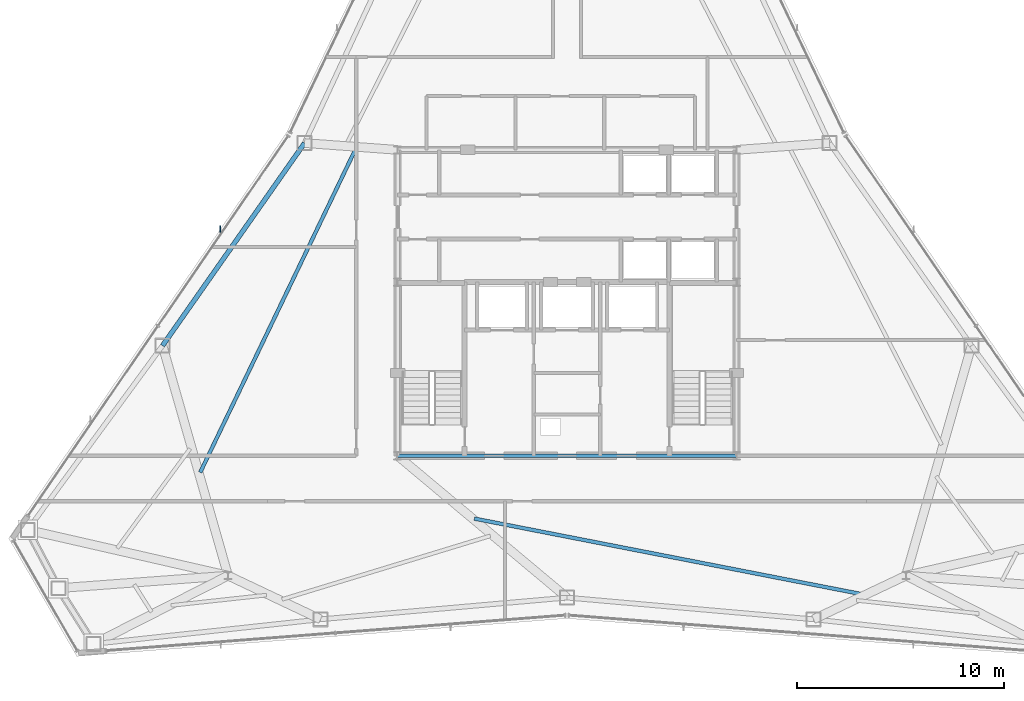
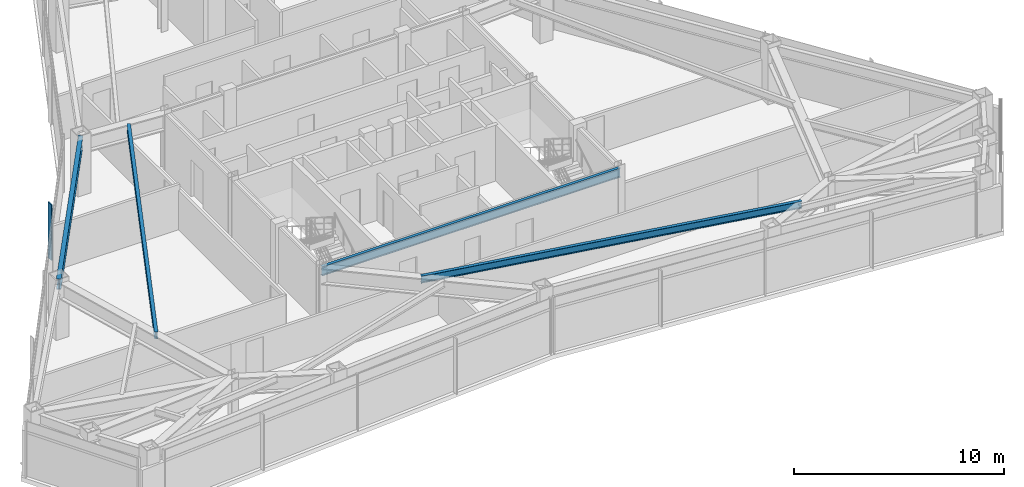
# One storey, part 4 of 12: 4 beams, 1 member, 1 element without a shape of its own.
"""IFC4 building model written with IfcOpenShell, lengths in metres."""

from ifc_helpers import new_model, si_unit, direction, frame, origin, origin_2d, place, context, subcontext, project, spatial, rectangle, i_section, extrude, source, transform, mapped, material, layer, layer_set, material_profile, profile_set, type_object, type_shapes, element, aggregate, save


model = new_model("IFC4")

# Units and contexts
model_context = context("Model", 3, precision=1e-05, world=origin(), true_north=direction((0.0, 1.0)))
body_context = subcontext(model_context, "Body", "Model", "MODEL_VIEW")
ifc_project = project(units=[si_unit("LENGTHUNIT", "METRE"), si_unit("AREAUNIT", "SQUARE_METRE"), si_unit("VOLUMEUNIT", "CUBIC_METRE"), si_unit("PLANEANGLEUNIT", "RADIAN"), si_unit("MASSUNIT", "GRAM", prefix="KILO")], contexts=[model_context])

# Site, building, storey
site_placement = place(None, origin())
site = spatial("IfcSite", under=ifc_project, at=site_placement, CompositionType="ELEMENT")
building_placement = place(site_placement, origin())
building = spatial("IfcBuilding", under=site, at=building_placement, Name="Varakhsha Concourse Tower", CompositionType="ELEMENT")
storey_placement = place(building_placement, frame((0.0, 0.0, 218.89990234375)))
storey = spatial("IfcBuildingStorey", under=building, at=storey_placement, Name="L62", CompositionType="ELEMENT", Elevation=218.89990234375)

# Beams
ifc_material_1 = material(Name="Structural Steel ASTM A992 Grade 50", Category="steel")
ifc_material_profile_1 = material_profile(ifc_material_1, i_section(OverallWidth=0.177978515625, OverallDepth=0.406982421875, WebThickness=0.008056640625, FlangeThickness=0.012939453125, at=origin_2d()), Name="W16X40")
ifc_profile_set_1 = profile_set([ifc_material_profile_1], Name="Structural Steel ASTM A992 Grade 50")
beam_type_1 = type_object("IfcBeamType", Name="BM-JST-W16X40", PredefinedType="JOIST", material=ifc_profile_set_1)
beam_1_placement = place(storey_placement, frame((29.772705078125, 31.246826171875, 3.046630859375), z_axis=(-0.433099415659, -0.901346157786, 0.0), x_axis=(0.901346157786, -0.433099415659, 0.0)))
element("IfcBeam", 1, at=beam_1_placement, inside=storey, type_object=beam_type_1, Name="BM-TJST-L62-05", PredefinedType="JOIST", context=body_context, shape_type="SweptSolid", body=[
    extrude(i_section(OverallWidth=0.177978515625, OverallDepth=0.406982421875, WebThickness=0.008056640625, FlangeThickness=0.012939453125, at=origin_2d()), origin(), (0.0, 0.0, 1.0), 17.365478515625),
])
beam_2_placement = place(storey_placement, frame((35.51611328125, 13.35888671875, 3.046630859375), z_axis=(0.981510211995, -0.19140977966, 0.0), x_axis=(0.19140977966, 0.981510211995, 0.0)))
element("IfcBeam", 2, at=beam_2_placement, inside=storey, type_object=beam_type_1, Name="BM-TJST-L62-11", PredefinedType="JOIST", context=body_context, shape_type="SweptSolid", body=[
    extrude(i_section(OverallWidth=0.177978515625, OverallDepth=0.406982421875, WebThickness=0.008056640625, FlangeThickness=0.012939453125, at=origin_2d()), origin(), (0.0, 0.0, 1.0), 19.162841796875),
])
ifc_material_profile_2 = material_profile(ifc_material_1, i_section(OverallWidth=0.1669921875, OverallDepth=0.534912109375, WebThickness=0.010009765625, FlangeThickness=0.01708984375, at=origin_2d()), Name="W21X57")
ifc_profile_set_2 = profile_set([ifc_material_profile_2], Name="Structural Steel ASTM A992 Grade 50")
beam_type_2 = type_object("IfcBeamType", Name="BM-RAD-W21X57", PredefinedType="BEAM", material=ifc_profile_set_2)
beam_3_placement = place(storey_placement, frame((31.800048828125, 16.39990234375, 2.982666015625), z_axis=(1.0, 0.0, 0.0), x_axis=(0.0, 1.0, 0.0)))
element("IfcBeam", 3, at=beam_3_placement, inside=storey, type_object=beam_type_2, Name="BM-TCORE-L62-CS", PredefinedType="BEAM", context=body_context, shape_type="SweptSolid", body=[
    extrude(i_section(OverallWidth=0.1669921875, OverallDepth=0.534912109375, WebThickness=0.010009765625, FlangeThickness=0.01708984375, at=origin_2d()), origin(), (0.0, 0.0, 1.0), 16.39990234375),
])
ifc_material_profile_3 = material_profile(ifc_material_1, i_section(OverallWidth=0.22900390625, OverallDepth=0.612060546875, WebThickness=0.011962890625, FlangeThickness=0.02001953125, at=origin_2d()), Name="W24X84")
ifc_profile_set_3 = profile_set([ifc_material_profile_3], Name="Structural Steel ASTM A992 Grade 50")
beam_type_3 = type_object("IfcBeamType", Name="BM-SPAN-W24X84", PredefinedType="SPANDREL", material=ifc_profile_set_3)
beam_4_placement = place(storey_placement, frame((27.301025390625, 31.53173828125, 2.944091796875), z_axis=(-0.574025939062, -0.818837115233, 0.0), x_axis=(0.818837115233, -0.574025939062, 0.0)))
element("IfcBeam", 4, at=beam_4_placement, inside=storey, type_object=beam_type_3, Name="BM-SPAN-L62-05", PredefinedType="SPANDREL", context=body_context, shape_type="SweptSolid", body=[
    extrude(i_section(OverallWidth=0.22900390625, OverallDepth=0.612060546875, WebThickness=0.011962890625, FlangeThickness=0.02001953125, at=origin_2d()), origin(), (0.0, 0.0, 1.0), 11.97509765625),
])

# Curtain wall, member
ifc_material_2 = material(Name="Anodised Bronze Architectural Aluminium AA 6063-T6", Category="aluminium")
ifc_layer = layer(ifc_material_2, 0.199951171875, Name="CW-SYS-05")
ifc_layer_set = layer_set([ifc_layer], Name="Anodised Bronze Architectural Aluminium AA 6063-T6")
curtain_wall_type = type_object("IfcCurtainWallType", Name="CW-SYS-05", PredefinedType="NOTDEFINED", material=ifc_layer_set)
curtain_wall_placement = place(storey_placement, origin())
curtain_wall = element("IfcCurtainWall", 5, at=curtain_wall_placement, inside=storey, type_object=curtain_wall_type, Name="L62 Crystal Curtain Wall F3", PredefinedType="NOTDEFINED")
ifc_material_profile_4 = material_profile(ifc_material_2, rectangle(XDim=0.054931640625, YDim=0.300048828125, at=origin_2d()), Name="FIN-BRZ-300")
ifc_profile_set_4 = profile_set([ifc_material_profile_4], Name="Anodised Bronze Architectural Aluminium AA 6063-T6")
member_type = type_object("IfcMemberType", Name="FIN-BRZ-300", PredefinedType="USERDEFINED", material=ifc_profile_set_4)
shared_shape = source(origin(), body_context, "Body", "SweptSolid", [
    extrude(rectangle(XDim=0.054931640625, YDim=0.300048828125, at=origin_2d()), origin(), (0.0, 0.0, 1.0), 3.25),
])
type_shapes(member_type, [shared_shape])
member_placement = place(storey_placement, frame((23.2255859375, 27.376708984375, 0.0), z_axis=(0.0, 0.0, 1.0), x_axis=(1.0, 0.0, 0.0)))
member = element("IfcMember", 6, at=member_placement, type_object=member_type, Name="L62 Anodised Bronze Solar Fin F3-2", ObjectType="SOLAR FIN", PredefinedType="USERDEFINED", context=body_context, shape_type="MappedRepresentation", body=[
    mapped(shared_shape, transform((0.0, 0.0, 0.0), scale=1.0)),
])
aggregate(curtain_wall, [member])

save(model, "model.ifc")
